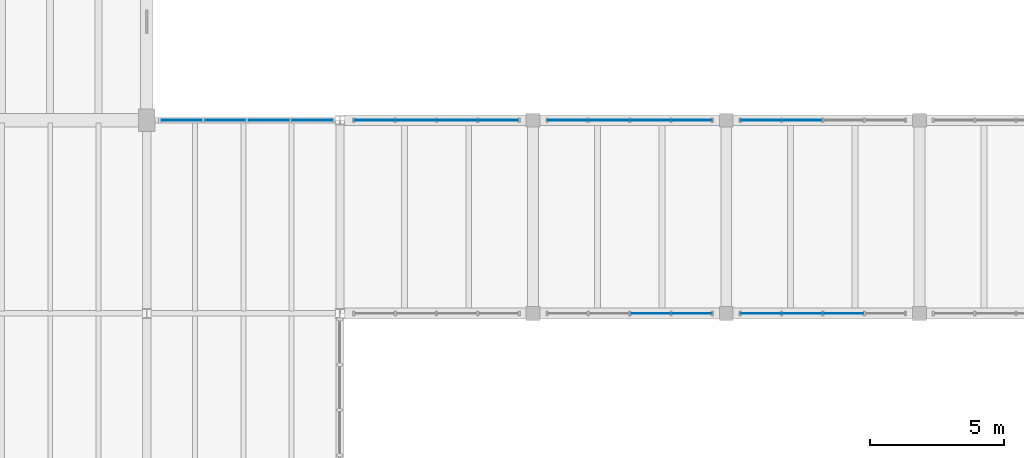
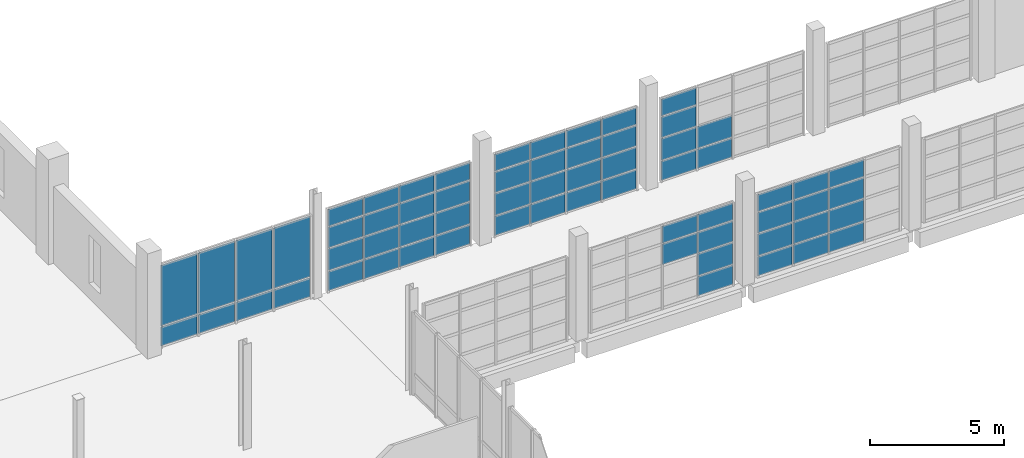
# One storey, part 54 of 77: 64 plates, 6 elements without a shape of their own.
"""IFC4 building model written with IfcOpenShell, lengths in metres."""

import ifcopenshell
import ifcopenshell.guid

model = None  # the IFC model being written
_history = None  # IfcOwnerHistory: only IFC2X3 demands one
_inside = {}  # id of a spatial element -> (the spatial element, [elements in it])
_under = {}  # id of a project, library or spatial element -> (it, [spatial elements below it])
_declared = {}  # id of a project -> (the project, [libraries it declares])
_typed = {}  # id of a type object -> (the type object, [elements of that type])
_made_of = {}  # id of a material, layer set ... -> (it, [elements and type objects made of it])


def new_model(schema):
    """Start an empty IFC model of exactly this schema.

    Asked for "IFC4X3", IfcOpenShell would pick the latest addendum, in which some entities
    have other attributes; the version numbers below select the first issue.
    IFC2X3 requires an IfcOwnerHistory on every rooted entity: one is made here for all.
    """
    global model, _history
    if schema == "IFC4X3":
        model = ifcopenshell.file(schema_version=(4, 3, 0, 0))
    else:
        model = ifcopenshell.file(schema=schema)
    _inside.clear()
    _under.clear()
    _declared.clear()
    _typed.clear()
    _made_of.clear()
    _history = None
    if model.schema == "IFC2X3":
        org = make("IfcOrganization", Name="unknown")
        user = make(
            "IfcPersonAndOrganization",
            ThePerson=make("IfcPerson", FamilyName="unknown"),
            TheOrganization=org,
        )
        app = make(
            "IfcApplication",
            ApplicationDeveloper=org,
            Version="unknown",
            ApplicationFullName="unknown",
            ApplicationIdentifier="unknown",
        )
        _history = make(
            "IfcOwnerHistory",
            OwningUser=user,
            OwningApplication=app,
            ChangeAction="ADDED",
            CreationDate=0,
        )
    return model


def make(cls, **values):
    """One entity of the class cls with the attributes given. An attribute that is None is left unset."""
    return model.create_entity(
        cls, **{name: value for name, value in values.items() if value is not None}
    )


def rooted(cls, **values):
    """An entity with a GlobalId (a new one), such as an element, a storey or a relation."""
    return make(cls, GlobalId=ifcopenshell.guid.new(), OwnerHistory=_history, **values)


def si_unit(unit_type, name, prefix=None):
    """IfcSIUnit, for example si_unit("LENGTHUNIT", "METRE", prefix="MILLI")."""
    return make("IfcSIUnit", UnitType=unit_type, Prefix=prefix, Name=name)


def assignment(units):
    """IfcUnitAssignment: the units of a project."""
    return None if units is None else make("IfcUnitAssignment", Units=units)


def point(xyz):
    """IfcCartesianPoint."""
    return None if xyz is None else make("IfcCartesianPoint", Coordinates=xyz)


def direction(xyz):
    """IfcDirection."""
    return None if xyz is None else make("IfcDirection", DirectionRatios=xyz)


def frame(location, z_axis=None, x_axis=None):
    """IfcAxis2Placement3D, a coordinate frame: its origin and axes. An axis left out is left unset."""
    return make(
        "IfcAxis2Placement3D",
        Location=point(location),
        Axis=direction(z_axis),
        RefDirection=direction(x_axis),
    )


def frame_2d(location, x_axis=None):
    """IfcAxis2Placement2D, a coordinate frame in the plane: its origin and x axis."""
    return make(
        "IfcAxis2Placement2D", Location=point(location), RefDirection=direction(x_axis)
    )


def origin():
    """The frame at (0, 0, 0) with its axes left unset."""
    return frame((0.0, 0.0, 0.0))


def place(relative_to, where):
    """IfcLocalPlacement: puts the frame where relative to a parent placement (None: the world)."""
    return make(
        "IfcLocalPlacement", PlacementRelTo=relative_to, RelativePlacement=where
    )


def context(
    kind, dimensions, precision=None, world=None, true_north=None, identifier=None
):
    """IfcGeometricRepresentationContext, for example the 3D "Model" context."""
    return make(
        "IfcGeometricRepresentationContext",
        ContextIdentifier=identifier,
        ContextType=kind,
        CoordinateSpaceDimension=dimensions,
        Precision=precision,
        WorldCoordinateSystem=world,
        TrueNorth=true_north,
    )


def subcontext(parent, identifier, kind, view, scale=None):
    """IfcGeometricRepresentationSubContext, for example "Body" below "Model"."""
    return make(
        "IfcGeometricRepresentationSubContext",
        ContextIdentifier=identifier,
        ContextType=kind,
        ParentContext=parent,
        TargetScale=scale,
        TargetView=view,
    )


def project(units=None, contexts=None):
    """IfcProject with its units and contexts."""
    return rooted(
        "IfcProject",
        Name="project",
        RepresentationContexts=contexts,
        UnitsInContext=assignment(units),
    )


def spatial(cls, under=None, at=None, **own):
    """A site, building, storey or space (cls), placed at a placement, below another one or the project."""
    s = rooted(cls, ObjectPlacement=at, **own)
    if under is not None:
        _under.setdefault(under.id(), (under, []))[1].append(s)
    return s


def profile(cls, at=None, kind="AREA", **sizes):
    """A parametric profile (cls). Its sizes go by their IFC names, for example OverallWidth=200.0."""
    return make(cls, ProfileType=kind, Position=at, **sizes)


def rectangle(**sizes):
    """IfcRectangleProfileDef."""
    return profile("IfcRectangleProfileDef", **sizes)


def extrude(swept, where, along, depth):
    """IfcExtrudedAreaSolid: the profile swept, set in the frame where, extruded along a direction by depth."""
    return make(
        "IfcExtrudedAreaSolid",
        SweptArea=swept,
        Position=where,
        ExtrudedDirection=direction(along),
        Depth=depth,
    )


def shape(context_of_items, identifier, shape_type, items):
    """IfcShapeRepresentation: the items that make up one representation, for example the "Body"."""
    return make(
        "IfcShapeRepresentation",
        ContextOfItems=context_of_items,
        RepresentationIdentifier=identifier,
        RepresentationType=shape_type,
        Items=items,
    )


def material(Name=None, Category=None):
    """IfcMaterial."""
    return make("IfcMaterial", Name=Name, Category=Category)


def layer(
    of_material, thickness, ventilated=None, Name=None, Category=None, Priority=None
):
    """IfcMaterialLayer: one layer of a wall or slab, of a material (None: an air gap)."""
    return make(
        "IfcMaterialLayer",
        Material=of_material,
        LayerThickness=thickness,
        IsVentilated=ventilated,
        Name=Name,
        Category=Category,
        Priority=Priority,
    )


def layer_set(layers, Name=None):
    """IfcMaterialLayerSet."""
    return make("IfcMaterialLayerSet", MaterialLayers=layers, LayerSetName=Name)


def made_of(thing, what):
    """Note that an element or type object is made of a material, layer set ...; save() writes the relation."""
    if what is not None:
        _made_of.setdefault(what.id(), (what, []))[1].append(thing)
    return thing


def type_object(cls, material=None, **own):
    """A type object (cls), such as IfcWallType, which elements share."""
    return made_of(rooted(cls, **own), material)


def element(
    cls,
    number,
    at=None,
    inside=None,
    cuts=None,
    type_object=None,
    material=None,
    context=None,
    identifier="Body",
    shape_type=None,
    held_by="IfcProductDefinitionShape",
    body=None,
    shapes=None,
    **own,
):
    """One element of the class cls, such as IfcWall. Its Tag is "e" and its number.

    at: its placement. inside: the storey or other place that contains it. cuts: it is an
    opening in that element (IfcRelVoidsElement). A single representation is given by context,
    identifier, shape_type and body (its items); several are given by shapes. held_by: the class
    of the entity that holds the representations. save() writes the other relations.
    """
    e = rooted(cls, Tag="e%d" % number, ObjectPlacement=at, **own)
    if body is not None:
        shapes = [shape(context, identifier, shape_type, body)]
    if shapes is not None:
        e.Representation = make(held_by, Representations=shapes)
    if inside is not None:
        _inside.setdefault(inside.id(), (inside, []))[1].append(e)
    if cuts is not None:
        rooted(
            "IfcRelVoidsElement", RelatingBuildingElement=cuts, RelatedOpeningElement=e
        )
    if type_object is not None:
        _typed.setdefault(type_object.id(), (type_object, []))[1].append(e)
    return made_of(e, material)


def aggregate(whole, parts):
    """IfcRelAggregates: a whole, such as a stair, and the parts it consists of."""
    return rooted("IfcRelAggregates", RelatingObject=whole, RelatedObjects=parts)


def save(model, path):
    """Write the relations noted so far, then the file.

    IfcRelAggregates (storeys below a building ...), IfcRelContainedInSpatialStructure (elements
    in a storey), IfcRelDefinesByType, IfcRelAssociatesMaterial and IfcRelDeclares: one each for
    every whole, place, type object, material and project.
    """
    for whole, parts in _under.values():
        aggregate(whole, parts)
    for where, things in _inside.values():
        rooted(
            "IfcRelContainedInSpatialStructure",
            RelatedElements=things,
            RelatingStructure=where,
        )
    for kind, things in _typed.values():
        rooted("IfcRelDefinesByType", RelatedObjects=things, RelatingType=kind)
    for what, things in _made_of.values():
        rooted("IfcRelAssociatesMaterial", RelatedObjects=things, RelatingMaterial=what)
    for by, libraries in _declared.values():
        rooted("IfcRelDeclares", RelatingContext=by, RelatedDefinitions=libraries)
    model.write(path)


model = new_model("IFC4")

# Units and contexts
model_context = context("Model", 3, precision=1e-05, world=origin(), true_north=direction((0.0, 1.0)))
body_context = subcontext(model_context, "Body", "Model", "MODEL_VIEW")
ifc_project = project(units=[si_unit("LENGTHUNIT", "METRE"), si_unit("AREAUNIT", "SQUARE_METRE"), si_unit("VOLUMEUNIT", "CUBIC_METRE"), si_unit("PLANEANGLEUNIT", "RADIAN"), si_unit("MASSUNIT", "GRAM", prefix="KILO")], contexts=[model_context])

# Site, building, storey
site_placement = place(None, origin())
site = spatial("IfcSite", under=ifc_project, at=site_placement, CompositionType="ELEMENT")
building_placement = place(site_placement, origin())
building = spatial("IfcBuilding", under=site, at=building_placement, Name="Qiaolan Assembly House", CompositionType="ELEMENT")
storey_placement = place(building_placement, frame((0.0, 0.0, 5.39990234375)))
storey = spatial("IfcBuildingStorey", under=building, at=storey_placement, Name="L01", CompositionType="ELEMENT", Elevation=5.39990234375)

# Curtain wall, plates
ifc_material_1 = material(Name="Anodised bronze aluminium", Category="aluminium")
curtain_wall_type_1 = type_object("IfcCurtainWallType", Name="CW-CLOISTER-420", PredefinedType="NOTDEFINED", material=ifc_material_1)
curtain_wall_1_placement = place(storey_placement, origin())
curtain_wall_1 = element("IfcCurtainWall", 1, at=curtain_wall_1_placement, inside=storey, type_object=curtain_wall_type_1, Name="CW-05 North Cloister outer arcade L01-1", PredefinedType="NOTDEFINED")
ifc_material_2 = material(Name="Low-E double insulating glass", Category="glass")
ifc_layer_1 = layer(ifc_material_2, 0.02587890625)
ifc_layer_set_1 = layer_set([ifc_layer_1], Name="Low-E double insulating glass")
plate_type_1 = type_object("IfcPlateType", Name="CW-CLOISTER-420-PNL", PredefinedType="CURTAIN_PANEL", material=ifc_layer_set_1)
plate_1_placement = place(storey_placement, frame((114.653076171875, 86.39990234375, 0.052978515625), z_axis=(0.0, 0.0, 1.0), x_axis=(-1.0, 0.0, 0.0)))
plate_1 = element("IfcPlate", 2, at=plate_1_placement, type_object=plate_type_1, Name="GL-06 glazing panel CW-CLN-OUT-L01-0-1", PredefinedType="CURTAIN_PANEL", context=body_context, shape_type="SweptSolid", body=[
    extrude(rectangle(XDim=1.486083984375, YDim=0.02587890625, at=frame_2d((0.7431640625, 0.0))), origin(), (0.0, 0.0, 1.0), 0.8740234375),
])
plate_2_placement = place(storey_placement, frame((114.653076171875, 86.39990234375, 0.97314453125), z_axis=(0.0, 0.0, 1.0), x_axis=(-1.0, 0.0, 0.0)))
plate_2 = element("IfcPlate", 3, at=plate_2_placement, type_object=plate_type_1, Name="GL-06 glazing panel CW-CLN-OUT-L01-0-2", PredefinedType="CURTAIN_PANEL", context=body_context, shape_type="SweptSolid", body=[
    extrude(rectangle(XDim=1.486083984375, YDim=0.02587890625, at=frame_2d((0.7431640625, 0.0))), origin(), (0.0, 0.0, 1.0), 0.990234375),
])
plate_3_placement = place(storey_placement, frame((114.653076171875, 86.39990234375, 2.009521484375), z_axis=(0.0, 0.0, 1.0), x_axis=(-1.0, 0.0, 0.0)))
plate_3 = element("IfcPlate", 4, at=plate_3_placement, type_object=plate_type_1, Name="GL-06 glazing panel CW-CLN-OUT-L01-0-3", PredefinedType="CURTAIN_PANEL", context=body_context, shape_type="SweptSolid", body=[
    extrude(rectangle(XDim=1.486083984375, YDim=0.02587890625, at=frame_2d((0.7431640625, 0.0))), origin(), (0.0, 0.0, 1.0), 0.9375),
])
plate_4_placement = place(storey_placement, frame((114.653076171875, 86.39990234375, 2.9931640625), z_axis=(0.0, 0.0, 1.0), x_axis=(-1.0, 0.0, 0.0)))
plate_4 = element("IfcPlate", 5, at=plate_4_placement, type_object=plate_type_1, Name="GL-06 glazing panel CW-CLN-OUT-L01-0-4", PredefinedType="CURTAIN_PANEL", context=body_context, shape_type="SweptSolid", body=[
    extrude(rectangle(XDim=1.486083984375, YDim=0.02587890625, at=frame_2d((0.7431640625, 0.0))), origin(), (0.0, 0.0, 1.0), 0.77392578125),
])
plate_5_placement = place(storey_placement, frame((113.113037109375, 86.39990234375, 0.052978515625), z_axis=(0.0, 0.0, 1.0), x_axis=(-1.0, 0.0, 0.0)))
plate_5 = element("IfcPlate", 6, at=plate_5_placement, type_object=plate_type_1, Name="GL-06 glazing panel CW-CLN-OUT-L01-0-5", PredefinedType="CURTAIN_PANEL", context=body_context, shape_type="SweptSolid", body=[
    extrude(rectangle(XDim=1.486083984375, YDim=0.02587890625, at=frame_2d((0.7431640625, 0.0))), origin(), (0.0, 0.0, 1.0), 0.8740234375),
])
plate_6_placement = place(storey_placement, frame((113.113037109375, 86.39990234375, 0.97314453125), z_axis=(0.0, 0.0, 1.0), x_axis=(-1.0, 0.0, 0.0)))
plate_6 = element("IfcPlate", 7, at=plate_6_placement, type_object=plate_type_1, Name="GL-06 glazing panel CW-CLN-OUT-L01-0-6", PredefinedType="CURTAIN_PANEL", context=body_context, shape_type="SweptSolid", body=[
    extrude(rectangle(XDim=1.486083984375, YDim=0.02587890625, at=frame_2d((0.7431640625, 0.0))), origin(), (0.0, 0.0, 1.0), 0.990234375),
])
plate_7_placement = place(storey_placement, frame((113.113037109375, 86.39990234375, 2.009521484375), z_axis=(0.0, 0.0, 1.0), x_axis=(-1.0, 0.0, 0.0)))
plate_7 = element("IfcPlate", 8, at=plate_7_placement, type_object=plate_type_1, Name="GL-06 glazing panel CW-CLN-OUT-L01-0-7", PredefinedType="CURTAIN_PANEL", context=body_context, shape_type="SweptSolid", body=[
    extrude(rectangle(XDim=1.486083984375, YDim=0.02587890625, at=frame_2d((0.7431640625, 0.0))), origin(), (0.0, 0.0, 1.0), 0.9375),
])
plate_8_placement = place(storey_placement, frame((113.113037109375, 86.39990234375, 2.9931640625), z_axis=(0.0, 0.0, 1.0), x_axis=(-1.0, 0.0, 0.0)))
plate_8 = element("IfcPlate", 9, at=plate_8_placement, type_object=plate_type_1, Name="GL-06 glazing panel CW-CLN-OUT-L01-0-8", PredefinedType="CURTAIN_PANEL", context=body_context, shape_type="SweptSolid", body=[
    extrude(rectangle(XDim=1.486083984375, YDim=0.02587890625, at=frame_2d((0.7431640625, 0.0))), origin(), (0.0, 0.0, 1.0), 0.77392578125),
])
plate_9_placement = place(storey_placement, frame((111.572998046875, 86.39990234375, 0.052978515625), z_axis=(0.0, 0.0, 1.0), x_axis=(-1.0, 0.0, 0.0)))
plate_9 = element("IfcPlate", 10, at=plate_9_placement, type_object=plate_type_1, Name="GL-06 glazing panel CW-CLN-OUT-L01-0-9", PredefinedType="CURTAIN_PANEL", context=body_context, shape_type="SweptSolid", body=[
    extrude(rectangle(XDim=1.486083984375, YDim=0.02587890625, at=frame_2d((0.7431640625, 0.0))), origin(), (0.0, 0.0, 1.0), 0.8740234375),
])
plate_10_placement = place(storey_placement, frame((111.572998046875, 86.39990234375, 0.97314453125), z_axis=(0.0, 0.0, 1.0), x_axis=(-1.0, 0.0, 0.0)))
plate_10 = element("IfcPlate", 11, at=plate_10_placement, type_object=plate_type_1, Name="GL-06 glazing panel CW-CLN-OUT-L01-0-10", PredefinedType="CURTAIN_PANEL", context=body_context, shape_type="SweptSolid", body=[
    extrude(rectangle(XDim=1.486083984375, YDim=0.02587890625, at=frame_2d((0.7431640625, 0.0))), origin(), (0.0, 0.0, 1.0), 0.990234375),
])
plate_11_placement = place(storey_placement, frame((111.572998046875, 86.39990234375, 2.009521484375), z_axis=(0.0, 0.0, 1.0), x_axis=(-1.0, 0.0, 0.0)))
plate_11 = element("IfcPlate", 12, at=plate_11_placement, type_object=plate_type_1, Name="GL-06 glazing panel CW-CLN-OUT-L01-0-11", PredefinedType="CURTAIN_PANEL", context=body_context, shape_type="SweptSolid", body=[
    extrude(rectangle(XDim=1.486083984375, YDim=0.02587890625, at=frame_2d((0.7431640625, 0.0))), origin(), (0.0, 0.0, 1.0), 0.9375),
])
plate_12_placement = place(storey_placement, frame((111.572998046875, 86.39990234375, 2.9931640625), z_axis=(0.0, 0.0, 1.0), x_axis=(-1.0, 0.0, 0.0)))
plate_12 = element("IfcPlate", 13, at=plate_12_placement, type_object=plate_type_1, Name="GL-06 glazing panel CW-CLN-OUT-L01-0-12", PredefinedType="CURTAIN_PANEL", context=body_context, shape_type="SweptSolid", body=[
    extrude(rectangle(XDim=1.486083984375, YDim=0.02587890625, at=frame_2d((0.7431640625, 0.0))), origin(), (0.0, 0.0, 1.0), 0.77392578125),
])
plate_13_placement = place(storey_placement, frame((110.032958984375, 86.39990234375, 0.052978515625), z_axis=(0.0, 0.0, 1.0), x_axis=(-1.0, 0.0, 0.0)))
plate_13 = element("IfcPlate", 14, at=plate_13_placement, type_object=plate_type_1, Name="GL-06 glazing panel CW-CLN-OUT-L01-0-13", PredefinedType="CURTAIN_PANEL", context=body_context, shape_type="SweptSolid", body=[
    extrude(rectangle(XDim=1.48583984375, YDim=0.02587890625, at=frame_2d((0.742919921875, 0.0))), origin(), (0.0, 0.0, 1.0), 0.8740234375),
])
plate_14_placement = place(storey_placement, frame((110.032958984375, 86.39990234375, 0.97314453125), z_axis=(0.0, 0.0, 1.0), x_axis=(-1.0, 0.0, 0.0)))
plate_14 = element("IfcPlate", 15, at=plate_14_placement, type_object=plate_type_1, Name="GL-06 glazing panel CW-CLN-OUT-L01-0-14", PredefinedType="CURTAIN_PANEL", context=body_context, shape_type="SweptSolid", body=[
    extrude(rectangle(XDim=1.48583984375, YDim=0.02587890625, at=frame_2d((0.742919921875, 0.0))), origin(), (0.0, 0.0, 1.0), 0.990234375),
])
plate_15_placement = place(storey_placement, frame((110.032958984375, 86.39990234375, 2.009521484375), z_axis=(0.0, 0.0, 1.0), x_axis=(-1.0, 0.0, 0.0)))
plate_15 = element("IfcPlate", 16, at=plate_15_placement, type_object=plate_type_1, Name="GL-06 glazing panel CW-CLN-OUT-L01-0-15", PredefinedType="CURTAIN_PANEL", context=body_context, shape_type="SweptSolid", body=[
    extrude(rectangle(XDim=1.48583984375, YDim=0.02587890625, at=frame_2d((0.742919921875, 0.0))), origin(), (0.0, 0.0, 1.0), 0.9375),
])
plate_16_placement = place(storey_placement, frame((110.032958984375, 86.39990234375, 2.9931640625), z_axis=(0.0, 0.0, 1.0), x_axis=(-1.0, 0.0, 0.0)))
plate_16 = element("IfcPlate", 17, at=plate_16_placement, type_object=plate_type_1, Name="GL-06 glazing panel CW-CLN-OUT-L01-0-16", PredefinedType="CURTAIN_PANEL", context=body_context, shape_type="SweptSolid", body=[
    extrude(rectangle(XDim=1.48583984375, YDim=0.02587890625, at=frame_2d((0.742919921875, 0.0))), origin(), (0.0, 0.0, 1.0), 0.77392578125),
])
aggregate(curtain_wall_1, [plate_1, plate_2, plate_3, plate_4, plate_5, plate_6, plate_7, plate_8, plate_9, plate_10, plate_11, plate_12, plate_13, plate_14, plate_15, plate_16])

curtain_wall_2_placement = place(storey_placement, origin())
curtain_wall_2 = element("IfcCurtainWall", 18, at=curtain_wall_2_placement, inside=storey, type_object=curtain_wall_type_1, Name="CW-05 North Cloister court arcade L01-2", PredefinedType="NOTDEFINED")
plate_17_placement = place(storey_placement, frame((118.826904296875, 79.199951171875, 2.009521484375), z_axis=(0.0, 0.0, 1.0), x_axis=(1.0, 0.0, 0.0)))
plate_17 = element("IfcPlate", 19, at=plate_17_placement, type_object=plate_type_1, Name="GL-06 glazing panel CW-CLN-CRT-L01-1-11", PredefinedType="CURTAIN_PANEL", context=body_context, shape_type="SweptSolid", body=[
    extrude(rectangle(XDim=1.486083984375, YDim=0.02587890625, at=frame_2d((0.7431640625, 0.0))), origin(), (0.0, 0.0, 1.0), 0.9375),
])
plate_18_placement = place(storey_placement, frame((118.826904296875, 79.199951171875, 2.9931640625), z_axis=(0.0, 0.0, 1.0), x_axis=(1.0, 0.0, 0.0)))
plate_18 = element("IfcPlate", 20, at=plate_18_placement, type_object=plate_type_1, Name="GL-06 glazing panel CW-CLN-CRT-L01-1-12", PredefinedType="CURTAIN_PANEL", context=body_context, shape_type="SweptSolid", body=[
    extrude(rectangle(XDim=1.486083984375, YDim=0.02587890625, at=frame_2d((0.7431640625, 0.0))), origin(), (0.0, 0.0, 1.0), 0.77392578125),
])
plate_19_placement = place(storey_placement, frame((120.366943359375, 79.199951171875, 0.052978515625), z_axis=(0.0, 0.0, 1.0), x_axis=(1.0, 0.0, 0.0)))
plate_19 = element("IfcPlate", 21, at=plate_19_placement, type_object=plate_type_1, Name="GL-06 glazing panel CW-CLN-CRT-L01-1-13", PredefinedType="CURTAIN_PANEL", context=body_context, shape_type="SweptSolid", body=[
    extrude(rectangle(XDim=1.486083984375, YDim=0.02587890625, at=frame_2d((0.7431640625, 0.0))), origin(), (0.0, 0.0, 1.0), 0.8740234375),
])
plate_20_placement = place(storey_placement, frame((120.366943359375, 79.199951171875, 0.97314453125), z_axis=(0.0, 0.0, 1.0), x_axis=(1.0, 0.0, 0.0)))
plate_20 = element("IfcPlate", 22, at=plate_20_placement, type_object=plate_type_1, Name="GL-06 glazing panel CW-CLN-CRT-L01-1-14", PredefinedType="CURTAIN_PANEL", context=body_context, shape_type="SweptSolid", body=[
    extrude(rectangle(XDim=1.486083984375, YDim=0.02587890625, at=frame_2d((0.7431640625, 0.0))), origin(), (0.0, 0.0, 1.0), 0.990234375),
])
plate_21_placement = place(storey_placement, frame((120.366943359375, 79.199951171875, 2.009521484375), z_axis=(0.0, 0.0, 1.0), x_axis=(1.0, 0.0, 0.0)))
plate_21 = element("IfcPlate", 23, at=plate_21_placement, type_object=plate_type_1, Name="GL-06 glazing panel CW-CLN-CRT-L01-1-15", PredefinedType="CURTAIN_PANEL", context=body_context, shape_type="SweptSolid", body=[
    extrude(rectangle(XDim=1.486083984375, YDim=0.02587890625, at=frame_2d((0.7431640625, 0.0))), origin(), (0.0, 0.0, 1.0), 0.9375),
])
plate_22_placement = place(storey_placement, frame((120.366943359375, 79.199951171875, 2.9931640625), z_axis=(0.0, 0.0, 1.0), x_axis=(1.0, 0.0, 0.0)))
plate_22 = element("IfcPlate", 24, at=plate_22_placement, type_object=plate_type_1, Name="GL-06 glazing panel CW-CLN-CRT-L01-1-16", PredefinedType="CURTAIN_PANEL", context=body_context, shape_type="SweptSolid", body=[
    extrude(rectangle(XDim=1.486083984375, YDim=0.02587890625, at=frame_2d((0.7431640625, 0.0))), origin(), (0.0, 0.0, 1.0), 0.77392578125),
])
aggregate(curtain_wall_2, [plate_17, plate_18, plate_19, plate_20, plate_21, plate_22])

curtain_wall_3_placement = place(storey_placement, origin())
curtain_wall_3 = element("IfcCurtainWall", 25, at=curtain_wall_3_placement, inside=storey, type_object=curtain_wall_type_1, Name="CW-05 North Cloister outer arcade L01-2", PredefinedType="NOTDEFINED")
plate_23_placement = place(storey_placement, frame((121.85302734375, 86.39990234375, 0.052978515625), z_axis=(0.0, 0.0, 1.0), x_axis=(-1.0, 0.0, 0.0)))
plate_23 = element("IfcPlate", 26, at=plate_23_placement, type_object=plate_type_1, Name="GL-06 glazing panel CW-CLN-OUT-L01-1-1", PredefinedType="CURTAIN_PANEL", context=body_context, shape_type="SweptSolid", body=[
    extrude(rectangle(XDim=1.486083984375, YDim=0.02587890625, at=frame_2d((0.7431640625, 0.0))), origin(), (0.0, 0.0, 1.0), 0.8740234375),
])
plate_24_placement = place(storey_placement, frame((121.85302734375, 86.39990234375, 0.97314453125), z_axis=(0.0, 0.0, 1.0), x_axis=(-1.0, 0.0, 0.0)))
plate_24 = element("IfcPlate", 27, at=plate_24_placement, type_object=plate_type_1, Name="GL-06 glazing panel CW-CLN-OUT-L01-1-2", PredefinedType="CURTAIN_PANEL", context=body_context, shape_type="SweptSolid", body=[
    extrude(rectangle(XDim=1.486083984375, YDim=0.02587890625, at=frame_2d((0.7431640625, 0.0))), origin(), (0.0, 0.0, 1.0), 0.990234375),
])
plate_25_placement = place(storey_placement, frame((121.85302734375, 86.39990234375, 2.009521484375), z_axis=(0.0, 0.0, 1.0), x_axis=(-1.0, 0.0, 0.0)))
plate_25 = element("IfcPlate", 28, at=plate_25_placement, type_object=plate_type_1, Name="GL-06 glazing panel CW-CLN-OUT-L01-1-3", PredefinedType="CURTAIN_PANEL", context=body_context, shape_type="SweptSolid", body=[
    extrude(rectangle(XDim=1.486083984375, YDim=0.02587890625, at=frame_2d((0.7431640625, 0.0))), origin(), (0.0, 0.0, 1.0), 0.9375),
])
plate_26_placement = place(storey_placement, frame((121.85302734375, 86.39990234375, 2.9931640625), z_axis=(0.0, 0.0, 1.0), x_axis=(-1.0, 0.0, 0.0)))
plate_26 = element("IfcPlate", 29, at=plate_26_placement, type_object=plate_type_1, Name="GL-06 glazing panel CW-CLN-OUT-L01-1-4", PredefinedType="CURTAIN_PANEL", context=body_context, shape_type="SweptSolid", body=[
    extrude(rectangle(XDim=1.486083984375, YDim=0.02587890625, at=frame_2d((0.7431640625, 0.0))), origin(), (0.0, 0.0, 1.0), 0.77392578125),
])
plate_27_placement = place(storey_placement, frame((120.31298828125, 86.39990234375, 0.052978515625), z_axis=(0.0, 0.0, 1.0), x_axis=(-1.0, 0.0, 0.0)))
plate_27 = element("IfcPlate", 30, at=plate_27_placement, type_object=plate_type_1, Name="GL-06 glazing panel CW-CLN-OUT-L01-1-5", PredefinedType="CURTAIN_PANEL", context=body_context, shape_type="SweptSolid", body=[
    extrude(rectangle(XDim=1.486083984375, YDim=0.02587890625, at=frame_2d((0.7431640625, 0.0))), origin(), (0.0, 0.0, 1.0), 0.8740234375),
])
plate_28_placement = place(storey_placement, frame((120.31298828125, 86.39990234375, 0.97314453125), z_axis=(0.0, 0.0, 1.0), x_axis=(-1.0, 0.0, 0.0)))
plate_28 = element("IfcPlate", 31, at=plate_28_placement, type_object=plate_type_1, Name="GL-06 glazing panel CW-CLN-OUT-L01-1-6", PredefinedType="CURTAIN_PANEL", context=body_context, shape_type="SweptSolid", body=[
    extrude(rectangle(XDim=1.486083984375, YDim=0.02587890625, at=frame_2d((0.7431640625, 0.0))), origin(), (0.0, 0.0, 1.0), 0.990234375),
])
plate_29_placement = place(storey_placement, frame((120.31298828125, 86.39990234375, 2.009521484375), z_axis=(0.0, 0.0, 1.0), x_axis=(-1.0, 0.0, 0.0)))
plate_29 = element("IfcPlate", 32, at=plate_29_placement, type_object=plate_type_1, Name="GL-06 glazing panel CW-CLN-OUT-L01-1-7", PredefinedType="CURTAIN_PANEL", context=body_context, shape_type="SweptSolid", body=[
    extrude(rectangle(XDim=1.486083984375, YDim=0.02587890625, at=frame_2d((0.7431640625, 0.0))), origin(), (0.0, 0.0, 1.0), 0.9375),
])
plate_30_placement = place(storey_placement, frame((120.31298828125, 86.39990234375, 2.9931640625), z_axis=(0.0, 0.0, 1.0), x_axis=(-1.0, 0.0, 0.0)))
plate_30 = element("IfcPlate", 33, at=plate_30_placement, type_object=plate_type_1, Name="GL-06 glazing panel CW-CLN-OUT-L01-1-8", PredefinedType="CURTAIN_PANEL", context=body_context, shape_type="SweptSolid", body=[
    extrude(rectangle(XDim=1.486083984375, YDim=0.02587890625, at=frame_2d((0.7431640625, 0.0))), origin(), (0.0, 0.0, 1.0), 0.77392578125),
])
plate_31_placement = place(storey_placement, frame((118.77294921875, 86.39990234375, 0.052978515625), z_axis=(0.0, 0.0, 1.0), x_axis=(-1.0, 0.0, 0.0)))
plate_31 = element("IfcPlate", 34, at=plate_31_placement, type_object=plate_type_1, Name="GL-06 glazing panel CW-CLN-OUT-L01-1-9", PredefinedType="CURTAIN_PANEL", context=body_context, shape_type="SweptSolid", body=[
    extrude(rectangle(XDim=1.48583984375, YDim=0.02587890625, at=frame_2d((0.742919921875, 0.0))), origin(), (0.0, 0.0, 1.0), 0.8740234375),
])
plate_32_placement = place(storey_placement, frame((118.77294921875, 86.39990234375, 0.97314453125), z_axis=(0.0, 0.0, 1.0), x_axis=(-1.0, 0.0, 0.0)))
plate_32 = element("IfcPlate", 35, at=plate_32_placement, type_object=plate_type_1, Name="GL-06 glazing panel CW-CLN-OUT-L01-1-10", PredefinedType="CURTAIN_PANEL", context=body_context, shape_type="SweptSolid", body=[
    extrude(rectangle(XDim=1.48583984375, YDim=0.02587890625, at=frame_2d((0.742919921875, 0.0))), origin(), (0.0, 0.0, 1.0), 0.990234375),
])
plate_33_placement = place(storey_placement, frame((118.77294921875, 86.39990234375, 2.009521484375), z_axis=(0.0, 0.0, 1.0), x_axis=(-1.0, 0.0, 0.0)))
plate_33 = element("IfcPlate", 36, at=plate_33_placement, type_object=plate_type_1, Name="GL-06 glazing panel CW-CLN-OUT-L01-1-11", PredefinedType="CURTAIN_PANEL", context=body_context, shape_type="SweptSolid", body=[
    extrude(rectangle(XDim=1.48583984375, YDim=0.02587890625, at=frame_2d((0.742919921875, 0.0))), origin(), (0.0, 0.0, 1.0), 0.9375),
])
plate_34_placement = place(storey_placement, frame((118.77294921875, 86.39990234375, 2.9931640625), z_axis=(0.0, 0.0, 1.0), x_axis=(-1.0, 0.0, 0.0)))
plate_34 = element("IfcPlate", 37, at=plate_34_placement, type_object=plate_type_1, Name="GL-06 glazing panel CW-CLN-OUT-L01-1-12", PredefinedType="CURTAIN_PANEL", context=body_context, shape_type="SweptSolid", body=[
    extrude(rectangle(XDim=1.48583984375, YDim=0.02587890625, at=frame_2d((0.742919921875, 0.0))), origin(), (0.0, 0.0, 1.0), 0.77392578125),
])
plate_35_placement = place(storey_placement, frame((117.23291015625, 86.39990234375, 0.052978515625), z_axis=(0.0, 0.0, 1.0), x_axis=(-1.0, 0.0, 0.0)))
plate_35 = element("IfcPlate", 38, at=plate_35_placement, type_object=plate_type_1, Name="GL-06 glazing panel CW-CLN-OUT-L01-1-13", PredefinedType="CURTAIN_PANEL", context=body_context, shape_type="SweptSolid", body=[
    extrude(rectangle(XDim=1.48583984375, YDim=0.02587890625, at=frame_2d((0.742919921875, 0.0))), origin(), (0.0, 0.0, 1.0), 0.8740234375),
])
plate_36_placement = place(storey_placement, frame((117.23291015625, 86.39990234375, 0.97314453125), z_axis=(0.0, 0.0, 1.0), x_axis=(-1.0, 0.0, 0.0)))
plate_36 = element("IfcPlate", 39, at=plate_36_placement, type_object=plate_type_1, Name="GL-06 glazing panel CW-CLN-OUT-L01-1-14", PredefinedType="CURTAIN_PANEL", context=body_context, shape_type="SweptSolid", body=[
    extrude(rectangle(XDim=1.48583984375, YDim=0.02587890625, at=frame_2d((0.742919921875, 0.0))), origin(), (0.0, 0.0, 1.0), 0.990234375),
])
plate_37_placement = place(storey_placement, frame((117.23291015625, 86.39990234375, 2.009521484375), z_axis=(0.0, 0.0, 1.0), x_axis=(-1.0, 0.0, 0.0)))
plate_37 = element("IfcPlate", 40, at=plate_37_placement, type_object=plate_type_1, Name="GL-06 glazing panel CW-CLN-OUT-L01-1-15", PredefinedType="CURTAIN_PANEL", context=body_context, shape_type="SweptSolid", body=[
    extrude(rectangle(XDim=1.48583984375, YDim=0.02587890625, at=frame_2d((0.742919921875, 0.0))), origin(), (0.0, 0.0, 1.0), 0.9375),
])
plate_38_placement = place(storey_placement, frame((117.23291015625, 86.39990234375, 2.9931640625), z_axis=(0.0, 0.0, 1.0), x_axis=(-1.0, 0.0, 0.0)))
plate_38 = element("IfcPlate", 41, at=plate_38_placement, type_object=plate_type_1, Name="GL-06 glazing panel CW-CLN-OUT-L01-1-16", PredefinedType="CURTAIN_PANEL", context=body_context, shape_type="SweptSolid", body=[
    extrude(rectangle(XDim=1.48583984375, YDim=0.02587890625, at=frame_2d((0.742919921875, 0.0))), origin(), (0.0, 0.0, 1.0), 0.77392578125),
])
aggregate(curtain_wall_3, [plate_23, plate_24, plate_25, plate_26, plate_27, plate_28, plate_29, plate_30, plate_31, plate_32, plate_33, plate_34, plate_35, plate_36, plate_37, plate_38])

curtain_wall_4_placement = place(storey_placement, origin())
curtain_wall_4 = element("IfcCurtainWall", 42, at=curtain_wall_4_placement, inside=storey, type_object=curtain_wall_type_1, Name="CW-05 North Cloister court arcade L01-3", PredefinedType="NOTDEFINED")
plate_39_placement = place(storey_placement, frame((122.947021484375, 79.199951171875, 0.052978515625), z_axis=(0.0, 0.0, 1.0), x_axis=(1.0, 0.0, 0.0)))
plate_39 = element("IfcPlate", 43, at=plate_39_placement, type_object=plate_type_1, Name="GL-06 glazing panel CW-CLN-CRT-L01-2-1", PredefinedType="CURTAIN_PANEL", context=body_context, shape_type="SweptSolid", body=[
    extrude(rectangle(XDim=1.486083984375, YDim=0.02587890625, at=frame_2d((0.7431640625, 0.0))), origin(), (0.0, 0.0, 1.0), 0.8740234375),
])
plate_40_placement = place(storey_placement, frame((122.947021484375, 79.199951171875, 0.97314453125), z_axis=(0.0, 0.0, 1.0), x_axis=(1.0, 0.0, 0.0)))
plate_40 = element("IfcPlate", 44, at=plate_40_placement, type_object=plate_type_1, Name="GL-06 glazing panel CW-CLN-CRT-L01-2-2", PredefinedType="CURTAIN_PANEL", context=body_context, shape_type="SweptSolid", body=[
    extrude(rectangle(XDim=1.486083984375, YDim=0.02587890625, at=frame_2d((0.7431640625, 0.0))), origin(), (0.0, 0.0, 1.0), 0.990234375),
])
plate_41_placement = place(storey_placement, frame((122.947021484375, 79.199951171875, 2.009521484375), z_axis=(0.0, 0.0, 1.0), x_axis=(1.0, 0.0, 0.0)))
plate_41 = element("IfcPlate", 45, at=plate_41_placement, type_object=plate_type_1, Name="GL-06 glazing panel CW-CLN-CRT-L01-2-3", PredefinedType="CURTAIN_PANEL", context=body_context, shape_type="SweptSolid", body=[
    extrude(rectangle(XDim=1.486083984375, YDim=0.02587890625, at=frame_2d((0.7431640625, 0.0))), origin(), (0.0, 0.0, 1.0), 0.9375),
])
plate_42_placement = place(storey_placement, frame((122.947021484375, 79.199951171875, 2.9931640625), z_axis=(0.0, 0.0, 1.0), x_axis=(1.0, 0.0, 0.0)))
plate_42 = element("IfcPlate", 46, at=plate_42_placement, type_object=plate_type_1, Name="GL-06 glazing panel CW-CLN-CRT-L01-2-4", PredefinedType="CURTAIN_PANEL", context=body_context, shape_type="SweptSolid", body=[
    extrude(rectangle(XDim=1.486083984375, YDim=0.02587890625, at=frame_2d((0.7431640625, 0.0))), origin(), (0.0, 0.0, 1.0), 0.77392578125),
])
plate_43_placement = place(storey_placement, frame((124.487060546875, 79.199951171875, 0.052978515625), z_axis=(0.0, 0.0, 1.0), x_axis=(1.0, 0.0, 0.0)))
plate_43 = element("IfcPlate", 47, at=plate_43_placement, type_object=plate_type_1, Name="GL-06 glazing panel CW-CLN-CRT-L01-2-5", PredefinedType="CURTAIN_PANEL", context=body_context, shape_type="SweptSolid", body=[
    extrude(rectangle(XDim=1.48583984375, YDim=0.02587890625, at=frame_2d((0.742919921875, 0.0))), origin(), (0.0, 0.0, 1.0), 0.8740234375),
])
plate_44_placement = place(storey_placement, frame((124.487060546875, 79.199951171875, 0.97314453125), z_axis=(0.0, 0.0, 1.0), x_axis=(1.0, 0.0, 0.0)))
plate_44 = element("IfcPlate", 48, at=plate_44_placement, type_object=plate_type_1, Name="GL-06 glazing panel CW-CLN-CRT-L01-2-6", PredefinedType="CURTAIN_PANEL", context=body_context, shape_type="SweptSolid", body=[
    extrude(rectangle(XDim=1.48583984375, YDim=0.02587890625, at=frame_2d((0.742919921875, 0.0))), origin(), (0.0, 0.0, 1.0), 0.990234375),
])
plate_45_placement = place(storey_placement, frame((124.487060546875, 79.199951171875, 2.009521484375), z_axis=(0.0, 0.0, 1.0), x_axis=(1.0, 0.0, 0.0)))
plate_45 = element("IfcPlate", 49, at=plate_45_placement, type_object=plate_type_1, Name="GL-06 glazing panel CW-CLN-CRT-L01-2-7", PredefinedType="CURTAIN_PANEL", context=body_context, shape_type="SweptSolid", body=[
    extrude(rectangle(XDim=1.48583984375, YDim=0.02587890625, at=frame_2d((0.742919921875, 0.0))), origin(), (0.0, 0.0, 1.0), 0.9375),
])
plate_46_placement = place(storey_placement, frame((124.487060546875, 79.199951171875, 2.9931640625), z_axis=(0.0, 0.0, 1.0), x_axis=(1.0, 0.0, 0.0)))
plate_46 = element("IfcPlate", 50, at=plate_46_placement, type_object=plate_type_1, Name="GL-06 glazing panel CW-CLN-CRT-L01-2-8", PredefinedType="CURTAIN_PANEL", context=body_context, shape_type="SweptSolid", body=[
    extrude(rectangle(XDim=1.48583984375, YDim=0.02587890625, at=frame_2d((0.742919921875, 0.0))), origin(), (0.0, 0.0, 1.0), 0.77392578125),
])
plate_47_placement = place(storey_placement, frame((126.027099609375, 79.199951171875, 0.052978515625), z_axis=(0.0, 0.0, 1.0), x_axis=(1.0, 0.0, 0.0)))
plate_47 = element("IfcPlate", 51, at=plate_47_placement, type_object=plate_type_1, Name="GL-06 glazing panel CW-CLN-CRT-L01-2-9", PredefinedType="CURTAIN_PANEL", context=body_context, shape_type="SweptSolid", body=[
    extrude(rectangle(XDim=1.48583984375, YDim=0.02587890625, at=frame_2d((0.742919921875, 0.0))), origin(), (0.0, 0.0, 1.0), 0.8740234375),
])
plate_48_placement = place(storey_placement, frame((126.027099609375, 79.199951171875, 0.97314453125), z_axis=(0.0, 0.0, 1.0), x_axis=(1.0, 0.0, 0.0)))
plate_48 = element("IfcPlate", 52, at=plate_48_placement, type_object=plate_type_1, Name="GL-06 glazing panel CW-CLN-CRT-L01-2-10", PredefinedType="CURTAIN_PANEL", context=body_context, shape_type="SweptSolid", body=[
    extrude(rectangle(XDim=1.48583984375, YDim=0.02587890625, at=frame_2d((0.742919921875, 0.0))), origin(), (0.0, 0.0, 1.0), 0.990234375),
])
plate_49_placement = place(storey_placement, frame((126.027099609375, 79.199951171875, 2.009521484375), z_axis=(0.0, 0.0, 1.0), x_axis=(1.0, 0.0, 0.0)))
plate_49 = element("IfcPlate", 53, at=plate_49_placement, type_object=plate_type_1, Name="GL-06 glazing panel CW-CLN-CRT-L01-2-11", PredefinedType="CURTAIN_PANEL", context=body_context, shape_type="SweptSolid", body=[
    extrude(rectangle(XDim=1.48583984375, YDim=0.02587890625, at=frame_2d((0.742919921875, 0.0))), origin(), (0.0, 0.0, 1.0), 0.9375),
])
plate_50_placement = place(storey_placement, frame((126.027099609375, 79.199951171875, 2.9931640625), z_axis=(0.0, 0.0, 1.0), x_axis=(1.0, 0.0, 0.0)))
plate_50 = element("IfcPlate", 54, at=plate_50_placement, type_object=plate_type_1, Name="GL-06 glazing panel CW-CLN-CRT-L01-2-12", PredefinedType="CURTAIN_PANEL", context=body_context, shape_type="SweptSolid", body=[
    extrude(rectangle(XDim=1.48583984375, YDim=0.02587890625, at=frame_2d((0.742919921875, 0.0))), origin(), (0.0, 0.0, 1.0), 0.77392578125),
])
aggregate(curtain_wall_4, [plate_39, plate_40, plate_41, plate_42, plate_43, plate_44, plate_45, plate_46, plate_47, plate_48, plate_49, plate_50])

curtain_wall_5_placement = place(storey_placement, origin())
curtain_wall_5 = element("IfcCurtainWall", 55, at=curtain_wall_5_placement, inside=storey, type_object=curtain_wall_type_1, Name="CW-05 North Cloister outer arcade L01-3", PredefinedType="NOTDEFINED")
plate_51_placement = place(storey_placement, frame((125.972900390625, 86.39990234375, 0.052978515625), z_axis=(0.0, 0.0, 1.0), x_axis=(-1.0, 0.0, 0.0)))
plate_51 = element("IfcPlate", 56, at=plate_51_placement, type_object=plate_type_1, Name="GL-06 glazing panel CW-CLN-OUT-L01-2-9", PredefinedType="CURTAIN_PANEL", context=body_context, shape_type="SweptSolid", body=[
    extrude(rectangle(XDim=1.48583984375, YDim=0.02587890625, at=frame_2d((0.742919921875, 0.0))), origin(), (0.0, 0.0, 1.0), 0.8740234375),
])
plate_52_placement = place(storey_placement, frame((125.972900390625, 86.39990234375, 0.97314453125), z_axis=(0.0, 0.0, 1.0), x_axis=(-1.0, 0.0, 0.0)))
plate_52 = element("IfcPlate", 57, at=plate_52_placement, type_object=plate_type_1, Name="GL-06 glazing panel CW-CLN-OUT-L01-2-10", PredefinedType="CURTAIN_PANEL", context=body_context, shape_type="SweptSolid", body=[
    extrude(rectangle(XDim=1.48583984375, YDim=0.02587890625, at=frame_2d((0.742919921875, 0.0))), origin(), (0.0, 0.0, 1.0), 0.990234375),
])
plate_53_placement = place(storey_placement, frame((124.43310546875, 86.39990234375, 0.052978515625), z_axis=(0.0, 0.0, 1.0), x_axis=(-1.0, 0.0, 0.0)))
plate_53 = element("IfcPlate", 58, at=plate_53_placement, type_object=plate_type_1, Name="GL-06 glazing panel CW-CLN-OUT-L01-2-13", PredefinedType="CURTAIN_PANEL", context=body_context, shape_type="SweptSolid", body=[
    extrude(rectangle(XDim=1.486083984375, YDim=0.02587890625, at=frame_2d((0.7431640625, 0.0))), origin(), (0.0, 0.0, 1.0), 0.8740234375),
])
plate_54_placement = place(storey_placement, frame((124.43310546875, 86.39990234375, 0.97314453125), z_axis=(0.0, 0.0, 1.0), x_axis=(-1.0, 0.0, 0.0)))
plate_54 = element("IfcPlate", 59, at=plate_54_placement, type_object=plate_type_1, Name="GL-06 glazing panel CW-CLN-OUT-L01-2-14", PredefinedType="CURTAIN_PANEL", context=body_context, shape_type="SweptSolid", body=[
    extrude(rectangle(XDim=1.486083984375, YDim=0.02587890625, at=frame_2d((0.7431640625, 0.0))), origin(), (0.0, 0.0, 1.0), 0.990234375),
])
plate_55_placement = place(storey_placement, frame((124.43310546875, 86.39990234375, 2.009521484375), z_axis=(0.0, 0.0, 1.0), x_axis=(-1.0, 0.0, 0.0)))
plate_55 = element("IfcPlate", 60, at=plate_55_placement, type_object=plate_type_1, Name="GL-06 glazing panel CW-CLN-OUT-L01-2-15", PredefinedType="CURTAIN_PANEL", context=body_context, shape_type="SweptSolid", body=[
    extrude(rectangle(XDim=1.486083984375, YDim=0.02587890625, at=frame_2d((0.7431640625, 0.0))), origin(), (0.0, 0.0, 1.0), 0.9375),
])
plate_56_placement = place(storey_placement, frame((124.43310546875, 86.39990234375, 2.9931640625), z_axis=(0.0, 0.0, 1.0), x_axis=(-1.0, 0.0, 0.0)))
plate_56 = element("IfcPlate", 61, at=plate_56_placement, type_object=plate_type_1, Name="GL-06 glazing panel CW-CLN-OUT-L01-2-16", PredefinedType="CURTAIN_PANEL", context=body_context, shape_type="SweptSolid", body=[
    extrude(rectangle(XDim=1.486083984375, YDim=0.02587890625, at=frame_2d((0.7431640625, 0.0))), origin(), (0.0, 0.0, 1.0), 0.77392578125),
])
aggregate(curtain_wall_5, [plate_51, plate_52, plate_53, plate_54, plate_55, plate_56])

curtain_wall_type_2 = type_object("IfcCurtainWallType", Name="CW-HALL-UPPER-480", PredefinedType="NOTDEFINED", material=ifc_material_1)
curtain_wall_6_placement = place(storey_placement, origin())
curtain_wall_6 = element("IfcCurtainWall", 62, at=curtain_wall_6_placement, inside=storey, type_object=curtain_wall_type_2, Name="CW-02 Hall North-East link CW L01", PredefinedType="NOTDEFINED")
ifc_layer_2 = layer(ifc_material_2, 0.031982421875)
ifc_layer_set_2 = layer_set([ifc_layer_2], Name="Low-E double insulating glass")
plate_type_2 = type_object("IfcPlateType", Name="CW-HALL-UPPER-480-PNL", PredefinedType="CURTAIN_PANEL", material=ifc_layer_set_2)
plate_57_placement = place(storey_placement, frame((107.7451171875, 86.39990234375, 0.06005859375), z_axis=(0.0, 0.0, 1.0), x_axis=(-1.0, 0.0, 0.0)))
plate_57 = element("IfcPlate", 63, at=plate_57_placement, type_object=plate_type_2, Name="GL-02 glazing panel CW-HALL-NEJ-L01-1", PredefinedType="CURTAIN_PANEL", context=body_context, shape_type="SweptSolid", body=[
    extrude(rectangle(XDim=1.55517578125, YDim=0.031982421875, at=frame_2d((0.777587890625, 0.0))), origin(), (0.0, 0.0, 1.0), 0.860107421875),
])
plate_58_placement = place(storey_placement, frame((107.7451171875, 86.39990234375, 0.97998046875), z_axis=(0.0, 0.0, 1.0), x_axis=(-1.0, 0.0, 0.0)))
plate_58 = element("IfcPlate", 64, at=plate_58_placement, type_object=plate_type_2, Name="GL-02 glazing panel CW-HALL-NEJ-L01-2", PredefinedType="CURTAIN_PANEL", context=body_context, shape_type="SweptSolid", body=[
    extrude(rectangle(XDim=1.55517578125, YDim=0.031982421875, at=frame_2d((0.777587890625, 0.0))), origin(), (0.0, 0.0, 1.0), 2.760009765625),
])
plate_59_placement = place(storey_placement, frame((106.1201171875, 86.39990234375, 0.06005859375), z_axis=(0.0, 0.0, 1.0), x_axis=(-1.0, 0.0, 0.0)))
plate_59 = element("IfcPlate", 65, at=plate_59_placement, type_object=plate_type_2, Name="GL-02 glazing panel CW-HALL-NEJ-L01-3", PredefinedType="CURTAIN_PANEL", context=body_context, shape_type="SweptSolid", body=[
    extrude(rectangle(XDim=1.55517578125, YDim=0.031982421875, at=frame_2d((0.777587890625, 0.0))), origin(), (0.0, 0.0, 1.0), 0.860107421875),
])
plate_60_placement = place(storey_placement, frame((106.1201171875, 86.39990234375, 0.97998046875), z_axis=(0.0, 0.0, 1.0), x_axis=(-1.0, 0.0, 0.0)))
plate_60 = element("IfcPlate", 66, at=plate_60_placement, type_object=plate_type_2, Name="GL-02 glazing panel CW-HALL-NEJ-L01-4", PredefinedType="CURTAIN_PANEL", context=body_context, shape_type="SweptSolid", body=[
    extrude(rectangle(XDim=1.55517578125, YDim=0.031982421875, at=frame_2d((0.777587890625, 0.0))), origin(), (0.0, 0.0, 1.0), 2.760009765625),
])
plate_61_placement = place(storey_placement, frame((104.4951171875, 86.39990234375, 0.06005859375), z_axis=(0.0, 0.0, 1.0), x_axis=(-1.0, 0.0, 0.0)))
plate_61 = element("IfcPlate", 67, at=plate_61_placement, type_object=plate_type_2, Name="GL-02 glazing panel CW-HALL-NEJ-L01-5", PredefinedType="CURTAIN_PANEL", context=body_context, shape_type="SweptSolid", body=[
    extrude(rectangle(XDim=1.55517578125, YDim=0.031982421875, at=frame_2d((0.777587890625, 0.0))), origin(), (0.0, 0.0, 1.0), 0.860107421875),
])
plate_62_placement = place(storey_placement, frame((104.4951171875, 86.39990234375, 0.97998046875), z_axis=(0.0, 0.0, 1.0), x_axis=(-1.0, 0.0, 0.0)))
plate_62 = element("IfcPlate", 68, at=plate_62_placement, type_object=plate_type_2, Name="GL-02 glazing panel CW-HALL-NEJ-L01-6", PredefinedType="CURTAIN_PANEL", context=body_context, shape_type="SweptSolid", body=[
    extrude(rectangle(XDim=1.55517578125, YDim=0.031982421875, at=frame_2d((0.777587890625, 0.0))), origin(), (0.0, 0.0, 1.0), 2.760009765625),
])
plate_63_placement = place(storey_placement, frame((102.8701171875, 86.39990234375, 0.06005859375), z_axis=(0.0, 0.0, 1.0), x_axis=(-1.0, 0.0, 0.0)))
plate_63 = element("IfcPlate", 69, at=plate_63_placement, type_object=plate_type_2, Name="GL-02 glazing panel CW-HALL-NEJ-L01-7", PredefinedType="CURTAIN_PANEL", context=body_context, shape_type="SweptSolid", body=[
    extrude(rectangle(XDim=1.55517578125, YDim=0.031982421875, at=frame_2d((0.777587890625, 0.0))), origin(), (0.0, 0.0, 1.0), 0.860107421875),
])
plate_64_placement = place(storey_placement, frame((102.8701171875, 86.39990234375, 0.97998046875), z_axis=(0.0, 0.0, 1.0), x_axis=(-1.0, 0.0, 0.0)))
plate_64 = element("IfcPlate", 70, at=plate_64_placement, type_object=plate_type_2, Name="GL-02 glazing panel CW-HALL-NEJ-L01-8", PredefinedType="CURTAIN_PANEL", context=body_context, shape_type="SweptSolid", body=[
    extrude(rectangle(XDim=1.55517578125, YDim=0.031982421875, at=frame_2d((0.777587890625, 0.0))), origin(), (0.0, 0.0, 1.0), 2.760009765625),
])
aggregate(curtain_wall_6, [plate_57, plate_58, plate_59, plate_60, plate_61, plate_62, plate_63, plate_64])

save(model, "model.ifc")
